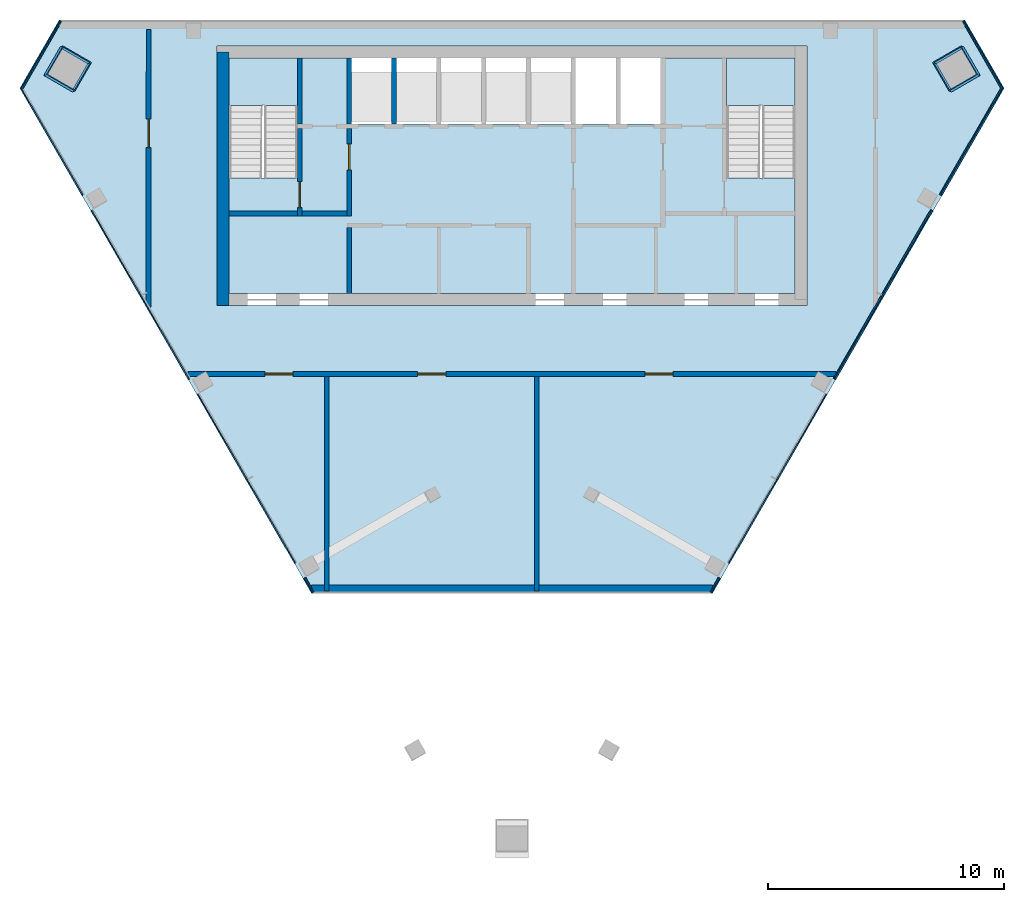
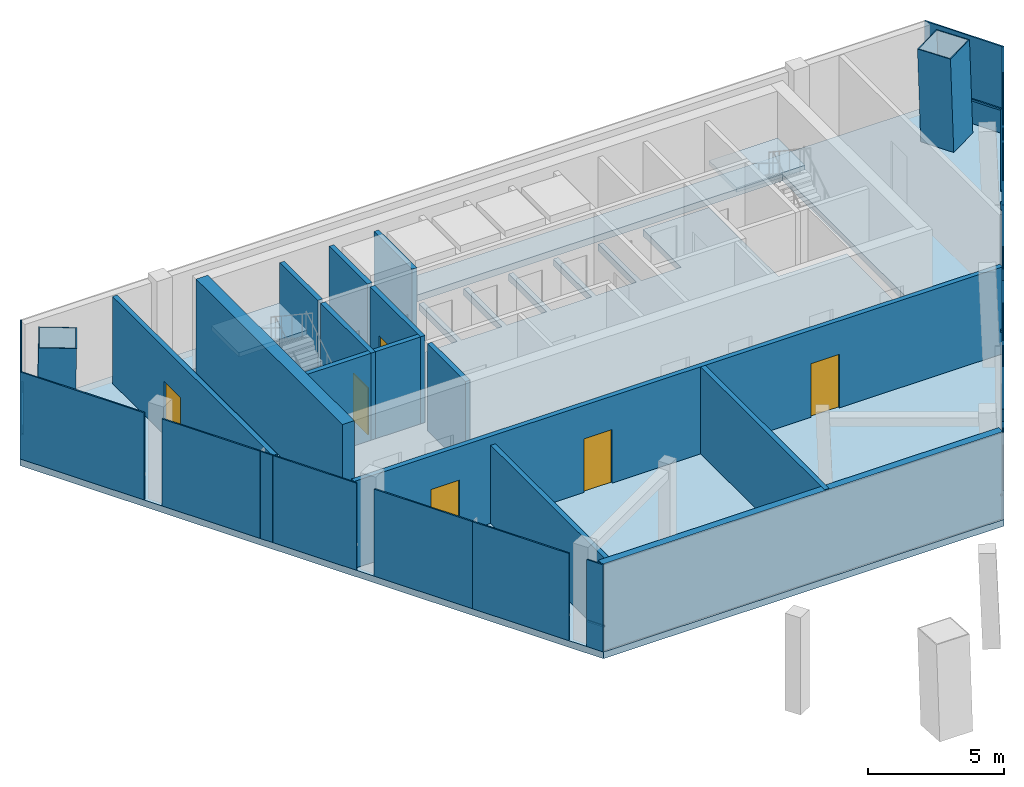
# One storey, part 4 of 8: 14 plates, 14 walls, 8 members, 6 doors, 4 slabs, 6 openings, 6 elements without a shape of their own.
"""IFC4 building model written with IfcOpenShell, lengths in metres."""

import ifcopenshell
import ifcopenshell.guid

model = None  # the IFC model being written
_history = None  # IfcOwnerHistory: only IFC2X3 demands one
_inside = {}  # id of a spatial element -> (the spatial element, [elements in it])
_under = {}  # id of a project, library or spatial element -> (it, [spatial elements below it])
_declared = {}  # id of a project -> (the project, [libraries it declares])
_typed = {}  # id of a type object -> (the type object, [elements of that type])
_made_of = {}  # id of a material, layer set ... -> (it, [elements and type objects made of it])


def new_model(schema):
    """Start an empty IFC model of exactly this schema.

    Asked for "IFC4X3", IfcOpenShell would pick the latest addendum, in which some entities
    have other attributes; the version numbers below select the first issue.
    IFC2X3 requires an IfcOwnerHistory on every rooted entity: one is made here for all.
    """
    global model, _history
    if schema == "IFC4X3":
        model = ifcopenshell.file(schema_version=(4, 3, 0, 0))
    else:
        model = ifcopenshell.file(schema=schema)
    _inside.clear()
    _under.clear()
    _declared.clear()
    _typed.clear()
    _made_of.clear()
    _history = None
    if model.schema == "IFC2X3":
        org = make("IfcOrganization", Name="unknown")
        user = make(
            "IfcPersonAndOrganization",
            ThePerson=make("IfcPerson", FamilyName="unknown"),
            TheOrganization=org,
        )
        app = make(
            "IfcApplication",
            ApplicationDeveloper=org,
            Version="unknown",
            ApplicationFullName="unknown",
            ApplicationIdentifier="unknown",
        )
        _history = make(
            "IfcOwnerHistory",
            OwningUser=user,
            OwningApplication=app,
            ChangeAction="ADDED",
            CreationDate=0,
        )
    return model


def make(cls, **values):
    """One entity of the class cls with the attributes given. An attribute that is None is left unset."""
    return model.create_entity(
        cls, **{name: value for name, value in values.items() if value is not None}
    )


def rooted(cls, **values):
    """An entity with a GlobalId (a new one), such as an element, a storey or a relation."""
    return make(cls, GlobalId=ifcopenshell.guid.new(), OwnerHistory=_history, **values)


def si_unit(unit_type, name, prefix=None):
    """IfcSIUnit, for example si_unit("LENGTHUNIT", "METRE", prefix="MILLI")."""
    return make("IfcSIUnit", UnitType=unit_type, Prefix=prefix, Name=name)


def assignment(units):
    """IfcUnitAssignment: the units of a project."""
    return None if units is None else make("IfcUnitAssignment", Units=units)


def point(xyz):
    """IfcCartesianPoint."""
    return None if xyz is None else make("IfcCartesianPoint", Coordinates=xyz)


def direction(xyz):
    """IfcDirection."""
    return None if xyz is None else make("IfcDirection", DirectionRatios=xyz)


def frame(location, z_axis=None, x_axis=None):
    """IfcAxis2Placement3D, a coordinate frame: its origin and axes. An axis left out is left unset."""
    return make(
        "IfcAxis2Placement3D",
        Location=point(location),
        Axis=direction(z_axis),
        RefDirection=direction(x_axis),
    )


def frame_2d(location, x_axis=None):
    """IfcAxis2Placement2D, a coordinate frame in the plane: its origin and x axis."""
    return make(
        "IfcAxis2Placement2D", Location=point(location), RefDirection=direction(x_axis)
    )


def origin():
    """The frame at (0, 0, 0) with its axes left unset."""
    return frame((0.0, 0.0, 0.0))


def origin_2d():
    """The frame at (0, 0) in the plane with its x axis left unset."""
    return frame_2d((0.0, 0.0))


def place(relative_to, where):
    """IfcLocalPlacement: puts the frame where relative to a parent placement (None: the world)."""
    return make(
        "IfcLocalPlacement", PlacementRelTo=relative_to, RelativePlacement=where
    )


def context(
    kind, dimensions, precision=None, world=None, true_north=None, identifier=None
):
    """IfcGeometricRepresentationContext, for example the 3D "Model" context."""
    return make(
        "IfcGeometricRepresentationContext",
        ContextIdentifier=identifier,
        ContextType=kind,
        CoordinateSpaceDimension=dimensions,
        Precision=precision,
        WorldCoordinateSystem=world,
        TrueNorth=true_north,
    )


def subcontext(parent, identifier, kind, view, scale=None):
    """IfcGeometricRepresentationSubContext, for example "Body" below "Model"."""
    return make(
        "IfcGeometricRepresentationSubContext",
        ContextIdentifier=identifier,
        ContextType=kind,
        ParentContext=parent,
        TargetScale=scale,
        TargetView=view,
    )


def project(units=None, contexts=None):
    """IfcProject with its units and contexts."""
    return rooted(
        "IfcProject",
        Name="project",
        RepresentationContexts=contexts,
        UnitsInContext=assignment(units),
    )


def spatial(cls, under=None, at=None, **own):
    """A site, building, storey or space (cls), placed at a placement, below another one or the project."""
    s = rooted(cls, ObjectPlacement=at, **own)
    if under is not None:
        _under.setdefault(under.id(), (under, []))[1].append(s)
    return s


def polyline(points):
    """IfcPolyline through the points."""
    return make("IfcPolyline", Points=[point(p) for p in points])


def profile(cls, at=None, kind="AREA", **sizes):
    """A parametric profile (cls). Its sizes go by their IFC names, for example OverallWidth=200.0."""
    return make(cls, ProfileType=kind, Position=at, **sizes)


def rectangle(**sizes):
    """IfcRectangleProfileDef."""
    return profile("IfcRectangleProfileDef", **sizes)


def hollow_rectangle(**sizes):
    """IfcRectangleHollowProfileDef."""
    return profile("IfcRectangleHollowProfileDef", **sizes)


def outline(outer, holes=None, kind="AREA"):
    """IfcArbitraryClosedProfileDef: a profile drawn as a closed curve; with holes, ...WithVoids."""
    if holes is None:
        return make("IfcArbitraryClosedProfileDef", ProfileType=kind, OuterCurve=outer)
    return make(
        "IfcArbitraryProfileDefWithVoids",
        ProfileType=kind,
        OuterCurve=outer,
        InnerCurves=holes,
    )


def extrude(swept, where, along, depth):
    """IfcExtrudedAreaSolid: the profile swept, set in the frame where, extruded along a direction by depth."""
    return make(
        "IfcExtrudedAreaSolid",
        SweptArea=swept,
        Position=where,
        ExtrudedDirection=direction(along),
        Depth=depth,
    )


def shape(context_of_items, identifier, shape_type, items):
    """IfcShapeRepresentation: the items that make up one representation, for example the "Body"."""
    return make(
        "IfcShapeRepresentation",
        ContextOfItems=context_of_items,
        RepresentationIdentifier=identifier,
        RepresentationType=shape_type,
        Items=items,
    )


def material(Name=None, Category=None):
    """IfcMaterial."""
    return make("IfcMaterial", Name=Name, Category=Category)


def layer(
    of_material, thickness, ventilated=None, Name=None, Category=None, Priority=None
):
    """IfcMaterialLayer: one layer of a wall or slab, of a material (None: an air gap)."""
    return make(
        "IfcMaterialLayer",
        Material=of_material,
        LayerThickness=thickness,
        IsVentilated=ventilated,
        Name=Name,
        Category=Category,
        Priority=Priority,
    )


def layer_set(layers, Name=None):
    """IfcMaterialLayerSet."""
    return make("IfcMaterialLayerSet", MaterialLayers=layers, LayerSetName=Name)


def material_profile(
    of_material, cross_section, Name=None, Category=None, Priority=None
):
    """IfcMaterialProfile: a cross section and its material."""
    return make(
        "IfcMaterialProfile",
        Name=Name,
        Material=of_material,
        Profile=cross_section,
        Priority=Priority,
        Category=Category,
    )


def profile_set(profiles, Name=None, composite=None):
    """IfcMaterialProfileSet."""
    return make(
        "IfcMaterialProfileSet",
        Name=Name,
        MaterialProfiles=profiles,
        CompositeProfile=composite,
    )


def made_of(thing, what):
    """Note that an element or type object is made of a material, layer set ...; save() writes the relation."""
    if what is not None:
        _made_of.setdefault(what.id(), (what, []))[1].append(thing)
    return thing


def type_object(cls, material=None, **own):
    """A type object (cls), such as IfcWallType, which elements share."""
    return made_of(rooted(cls, **own), material)


def element(
    cls,
    number,
    at=None,
    inside=None,
    cuts=None,
    type_object=None,
    material=None,
    context=None,
    identifier="Body",
    shape_type=None,
    held_by="IfcProductDefinitionShape",
    body=None,
    shapes=None,
    **own,
):
    """One element of the class cls, such as IfcWall. Its Tag is "e" and its number.

    at: its placement. inside: the storey or other place that contains it. cuts: it is an
    opening in that element (IfcRelVoidsElement). A single representation is given by context,
    identifier, shape_type and body (its items); several are given by shapes. held_by: the class
    of the entity that holds the representations. save() writes the other relations.
    """
    e = rooted(cls, Tag="e%d" % number, ObjectPlacement=at, **own)
    if body is not None:
        shapes = [shape(context, identifier, shape_type, body)]
    if shapes is not None:
        e.Representation = make(held_by, Representations=shapes)
    if inside is not None:
        _inside.setdefault(inside.id(), (inside, []))[1].append(e)
    if cuts is not None:
        rooted(
            "IfcRelVoidsElement", RelatingBuildingElement=cuts, RelatedOpeningElement=e
        )
    if type_object is not None:
        _typed.setdefault(type_object.id(), (type_object, []))[1].append(e)
    return made_of(e, material)


def fill(opening, filler):
    """IfcRelFillsElement: the door or window that sits in an opening."""
    return rooted(
        "IfcRelFillsElement",
        RelatingOpeningElement=opening,
        RelatedBuildingElement=filler,
    )


def aggregate(whole, parts):
    """IfcRelAggregates: a whole, such as a stair, and the parts it consists of."""
    return rooted("IfcRelAggregates", RelatingObject=whole, RelatedObjects=parts)


def save(model, path):
    """Write the relations noted so far, then the file.

    IfcRelAggregates (storeys below a building ...), IfcRelContainedInSpatialStructure (elements
    in a storey), IfcRelDefinesByType, IfcRelAssociatesMaterial and IfcRelDeclares: one each for
    every whole, place, type object, material and project.
    """
    for whole, parts in _under.values():
        aggregate(whole, parts)
    for where, things in _inside.values():
        rooted(
            "IfcRelContainedInSpatialStructure",
            RelatedElements=things,
            RelatingStructure=where,
        )
    for kind, things in _typed.values():
        rooted("IfcRelDefinesByType", RelatedObjects=things, RelatingType=kind)
    for what, things in _made_of.values():
        rooted("IfcRelAssociatesMaterial", RelatedObjects=things, RelatingMaterial=what)
    for by, libraries in _declared.values():
        rooted("IfcRelDeclares", RelatingContext=by, RelatedDefinitions=libraries)
    model.write(path)


model = new_model("IFC4")

# Units and contexts
model_context = context("Model", 3, precision=1e-05, world=origin(), true_north=direction((0.0, 1.0)))
body_context = subcontext(model_context, "Body", "Model", "MODEL_VIEW")
ifc_project = project(units=[si_unit("LENGTHUNIT", "METRE"), si_unit("AREAUNIT", "SQUARE_METRE"), si_unit("VOLUMEUNIT", "CUBIC_METRE"), si_unit("PLANEANGLEUNIT", "RADIAN"), si_unit("MASSUNIT", "GRAM", prefix="KILO")], contexts=[model_context])

# Site, building, storey
site_placement = place(None, origin())
site = spatial("IfcSite", under=ifc_project, at=site_placement, CompositionType="ELEMENT")
building_placement = place(site_placement, origin())
building = spatial("IfcBuilding", under=site, at=building_placement, Name="Altiplano Prism Tower", CompositionType="ELEMENT")
storey_placement = place(building_placement, frame((0.0, 0.0, 338.800048828125)))
storey = spatial("IfcBuildingStorey", under=building, at=storey_placement, Name="L88", CompositionType="ELEMENT", Elevation=338.800048828125)

# Curtain wall, member
ifc_material_1 = material(Name="Aluminium and glass", Category="aluminium")
ifc_layer_1 = layer(ifc_material_1, 0.320068359375)
ifc_layer_set_1 = layer_set([ifc_layer_1], Name="Aluminium and glass")
curtain_wall_type = type_object("IfcCurtainWallType", Name="CW6 louvred plant-floor curtain wall", PredefinedType="NOTDEFINED", material=ifc_layer_set_1)
curtain_wall_1_placement = place(storey_placement, origin())
curtain_wall_1 = element("IfcCurtainWall", 1, at=curtain_wall_1_placement, inside=storey, type_object=curtain_wall_type, Name="CW6 curtain wall north-west chamfer L88", PredefinedType="NOTDEFINED")
ifc_material_2 = material(Name="Aluminium", Category="aluminium")
ifc_material_profile_1 = material_profile(ifc_material_2, rectangle(XDim=0.06005859375, YDim=0.080078125, at=origin_2d()), Name="CW6 transom 80 x 60")
ifc_profile_set_1 = profile_set([ifc_material_profile_1], Name="Aluminium")
member_type_1 = type_object("IfcMemberType", Name="CW6 transom 80 x 60", PredefinedType="USERDEFINED", material=ifc_profile_set_1)
member_1_placement = place(storey_placement, frame((65.894287109375, 104.955078125, 1.099853515625), z_axis=(-0.499990830675, -0.866030697632, 0.0), x_axis=(0.866030697632, -0.499990830675, 0.0)))
member_1 = element("IfcMember", 2, at=member_1_placement, type_object=member_type_1, Name="CW6 transom", ObjectType="TRANSOM", PredefinedType="USERDEFINED", context=body_context, shape_type="SweptSolid", body=[
    extrude(rectangle(XDim=0.06005859375, YDim=0.080078125, at=origin_2d()), origin(), (0.0, 0.0, 1.0), 3.33349609375),
])

curtain_wall_2_placement = place(storey_placement, origin())
curtain_wall_2 = element("IfcCurtainWall", 3, at=curtain_wall_2_placement, inside=storey, type_object=curtain_wall_type, Name="CW6 curtain wall south-west face L88", PredefinedType="NOTDEFINED")
member_2_placement = place(storey_placement, frame((76.232177734375, 81.36572265625, 1.099853515625), z_axis=(0.500095966228, -0.865969990567, 0.0), x_axis=(0.865969990567, 0.500095966228, 0.0)))
member_2 = element("IfcMember", 4, at=member_2_placement, type_object=member_type_1, Name="CW6 transom", ObjectType="TRANSOM", PredefinedType="USERDEFINED", context=body_context, shape_type="SweptSolid", body=[
    extrude(rectangle(XDim=0.06005859375, YDim=0.080078125, at=origin_2d()), origin(), (0.0, 0.0, 1.0), 0.716552734375),
])

# Curtain wall, members
curtain_wall_3_placement = place(storey_placement, origin())
curtain_wall_3 = element("IfcCurtainWall", 5, at=curtain_wall_3_placement, inside=storey, type_object=curtain_wall_type, Name="CW6 curtain wall south-east face L88", PredefinedType="NOTDEFINED")
member_3_placement = place(storey_placement, frame((93.409423828125, 80.7451171875, 1.099853515625), z_axis=(0.500095966228, 0.865969990567, 0.0), x_axis=(-0.865969990567, 0.500095966228, 0.0)))
member_3 = element("IfcMember", 6, at=member_3_placement, type_object=member_type_1, Name="CW6 transom", ObjectType="TRANSOM", PredefinedType="USERDEFINED", context=body_context, shape_type="SweptSolid", body=[
    extrude(rectangle(XDim=0.06005859375, YDim=0.080078125, at=origin_2d()), origin(), (0.0, 0.0, 1.0), 0.716552734375),
])
member_4_placement = place(storey_placement, frame((98.639892578125, 89.803955078125, 1.099853515625), z_axis=(0.499980985926, 0.866036381287, 0.0), x_axis=(-0.866036381287, 0.499980985926, 0.0)))
member_4 = element("IfcMember", 7, at=member_4_placement, type_object=member_type_1, Name="CW6 transom", ObjectType="TRANSOM", PredefinedType="USERDEFINED", context=body_context, shape_type="SweptSolid", body=[
    extrude(rectangle(XDim=0.06005859375, YDim=0.080078125, at=origin_2d()), origin(), (0.0, 0.0, 1.0), 8.256103515625),
])
member_5_placement = place(storey_placement, frame((103.139892578125, 97.598388671875, 1.099853515625), z_axis=(0.500014132739, 0.86601724409, 0.0), x_axis=(-0.86601724409, 0.500014132739, 0.0)))
member_5 = element("IfcMember", 8, at=member_5_placement, type_object=member_type_1, Name="CW6 transom", ObjectType="TRANSOM", PredefinedType="USERDEFINED", context=body_context, shape_type="SweptSolid", body=[
    extrude(rectangle(XDim=0.06005859375, YDim=0.080078125, at=origin_2d()), origin(), (0.0, 0.0, 1.0), 5.264892578125),
])

# Curtain wall, member
curtain_wall_4_placement = place(storey_placement, origin())
curtain_wall_4 = element("IfcCurtainWall", 9, at=curtain_wall_4_placement, inside=storey, type_object=curtain_wall_type, Name="CW6 curtain wall north-east chamfer L88", PredefinedType="NOTDEFINED")
member_6_placement = place(storey_placement, frame((105.7724609375, 102.068115234375, 1.099853515625), z_axis=(-0.499990830675, 0.866030697632, 0.0), x_axis=(-0.866030697632, -0.499990830675, 0.0)))
member_6 = element("IfcMember", 10, at=member_6_placement, type_object=member_type_1, Name="CW6 transom", ObjectType="TRANSOM", PredefinedType="USERDEFINED", context=body_context, shape_type="SweptSolid", body=[
    extrude(rectangle(XDim=0.06005859375, YDim=0.080078125, at=origin_2d()), origin(), (0.0, 0.0, 1.0), 3.33349609375),
])

# Members
ifc_material_3 = material(Name="Steel S460", Category="steel")
ifc_material_profile_2 = material_profile(ifc_material_3, hollow_rectangle(XDim=1.39990234375, YDim=1.39990234375, WallThickness=0.0400390625, at=origin_2d()), Name="Mega column tube 1400")
ifc_profile_set_2 = profile_set([ifc_material_profile_2], Name="Steel S460")
member_type_2 = type_object("IfcMemberType", Name="Mega column tube 1400", PredefinedType="POST", material=ifc_profile_set_2)
for number, where, z_axis, x_axis, name in (
    (11, (66.10888671875, 102.906494140625, 0.0), (0.028412585289, 0.009238447977, 0.999553588396), (-0.865379574523, 0.500718845558, 0.019970721124), "Mega column tube M0 L88"),
    (12, (103.89111328125, 102.906494140625, 0.0), (-0.028412585289, 0.009238447977, 0.999553588396), (0.500310820387, -0.865560678856, 0.022221481085), "Mega column tube M2 L88"),
):
    element("IfcMember", number, at=place(storey_placement, frame(where, z_axis=z_axis, x_axis=x_axis)), inside=storey, type_object=member_type_2, Name=name, PredefinedType="POST", context=body_context, shape_type="SweptSolid", body=[
        extrude(hollow_rectangle(XDim=1.39990234375, YDim=1.39990234375, WallThickness=0.0400390625, at=origin_2d()), origin(), (0.0, 0.0, 1.0), 4.201904296875),
    ])

# Plate
ifc_material_4 = material(Name="Anodised aluminium", Category="aluminium")
ifc_layer_2 = layer(ifc_material_4, 0.06005859375)
ifc_layer_set_2 = layer_set([ifc_layer_2], Name="Anodised aluminium")
plate_type = type_object("IfcPlateType", Name="CW6 louvred aluminium panel 60", PredefinedType="CURTAIN_PANEL", material=ifc_layer_set_2)
plate_1_placement = place(storey_placement, frame((65.009033203125, 103.54150390625, 0.0), z_axis=(0.0, 0.0, 1.0), x_axis=(-0.499999981877, -0.866025414248, 0.0)))
plate_1 = element("IfcPlate", 13, at=plate_1_placement, type_object=plate_type, Name="CW6 panel", PredefinedType="CURTAIN_PANEL", context=body_context, shape_type="SweptSolid", body=[
    extrude(rectangle(XDim=3.323486328125, YDim=0.06005859375, at=origin_2d()), origin(), (0.0, 0.0, 1.0), 3.89990234375),
])

aggregate(curtain_wall_1, [member_1, plate_1])

plate_2_placement = place(storey_placement, frame((65.491943359375, 99.84814453125, 0.0), z_axis=(0.0, 0.0, 1.0), x_axis=(0.500000000831, -0.866025403304, 0.0)))
plate_2 = element("IfcPlate", 14, at=plate_2_placement, type_object=plate_type, Name="CW6 panel", PredefinedType="CURTAIN_PANEL", context=body_context, shape_type="SweptSolid", body=[
    extrude(rectangle(XDim=5.255126953125, YDim=0.06005859375, at=origin_2d()), origin(), (0.0, 0.0, 1.0), 3.89990234375),
])

plate_3_placement = place(storey_placement, frame((68.223876953125, 95.116455078125, 0.0), z_axis=(0.0, 0.0, 1.0), x_axis=(0.500000000831, -0.866025403304, 0.0)))
plate_3 = element("IfcPlate", 15, at=plate_3_placement, type_object=plate_type, Name="CW6 panel", PredefinedType="CURTAIN_PANEL", context=body_context, shape_type="SweptSolid", body=[
    extrude(rectangle(XDim=4.16455078125, YDim=0.06005859375, at=origin_2d()), origin(), (0.0, 0.0, 1.0), 3.89990234375),
])

plate_4_placement = place(storey_placement, frame((70.287841796875, 91.54150390625, 0.0), z_axis=(0.0, 0.0, 1.0), x_axis=(0.500000000831, -0.866025403304, 0.0)))
plate_4 = element("IfcPlate", 16, at=plate_4_placement, type_object=plate_type, Name="CW6 panel", PredefinedType="CURTAIN_PANEL", context=body_context, shape_type="SweptSolid", body=[
    extrude(rectangle(XDim=4.071533203125, YDim=0.06005859375, at=origin_2d()), origin(), (0.0, 0.0, 1.0), 3.89990234375),
])

plate_5_placement = place(storey_placement, frame((72.723876953125, 87.322265625, 0.0), z_axis=(0.0, 0.0, 1.0), x_axis=(0.500000000831, -0.866025403304, 0.0)))
plate_5 = element("IfcPlate", 17, at=plate_5_placement, type_object=plate_type, Name="CW6 panel", PredefinedType="CURTAIN_PANEL", context=body_context, shape_type="SweptSolid", body=[
    extrude(rectangle(XDim=4.16455078125, YDim=0.06005859375, at=origin_2d()), origin(), (0.0, 0.0, 1.0), 3.89990234375),
])

plate_6_placement = place(storey_placement, frame((74.787841796875, 83.747314453125, 0.0), z_axis=(0.0, 0.0, 1.0), x_axis=(0.500000000831, -0.866025403304, 0.0)))
plate_6 = element("IfcPlate", 18, at=plate_6_placement, type_object=plate_type, Name="CW6 panel", PredefinedType="CURTAIN_PANEL", context=body_context, shape_type="SweptSolid", body=[
    extrude(rectangle(XDim=4.071533203125, YDim=0.06005859375, at=origin_2d()), origin(), (0.0, 0.0, 1.0), 3.89990234375),
])

plate_7_placement = place(storey_placement, frame((76.359375, 81.025390625, 0.0), z_axis=(0.0, 0.0, 1.0), x_axis=(0.500000000831, -0.866025403304, 0.0)))
plate_7 = element("IfcPlate", 19, at=plate_7_placement, type_object=plate_type, Name="CW6 panel", PredefinedType="CURTAIN_PANEL", context=body_context, shape_type="SweptSolid", body=[
    extrude(rectangle(XDim=0.70654296875, YDim=0.06005859375, at=origin_2d()), origin(), (0.0, 0.0, 1.0), 3.89990234375),
])

aggregate(curtain_wall_2, [plate_2, plate_3, plate_4, plate_5, plate_6, member_2, plate_7])

plate_8_placement = place(storey_placement, frame((93.640625, 81.025390625, 0.0), z_axis=(0.0, 0.0, 1.0), x_axis=(0.500000000831, 0.866025403304, 0.0)))
plate_8 = element("IfcPlate", 20, at=plate_8_placement, type_object=plate_type, Name="CW6 panel", PredefinedType="CURTAIN_PANEL", context=body_context, shape_type="SweptSolid", body=[
    extrude(rectangle(XDim=0.70654296875, YDim=0.06005859375, at=origin_2d()), origin(), (0.0, 0.0, 1.0), 3.89990234375),
])

plate_9_placement = place(storey_placement, frame((95.212158203125, 83.747314453125, 0.0), z_axis=(0.0, 0.0, 1.0), x_axis=(0.500000000831, 0.866025403304, 0.0)))
plate_9 = element("IfcPlate", 21, at=plate_9_placement, type_object=plate_type, Name="CW6 panel", PredefinedType="CURTAIN_PANEL", context=body_context, shape_type="SweptSolid", body=[
    extrude(rectangle(XDim=4.071533203125, YDim=0.06005859375, at=origin_2d()), origin(), (0.0, 0.0, 1.0), 3.89990234375),
])

plate_10_placement = place(storey_placement, frame((97.276123046875, 87.322265625, 0.0), z_axis=(0.0, 0.0, 1.0), x_axis=(0.500000000831, 0.866025403304, 0.0)))
plate_10 = element("IfcPlate", 22, at=plate_10_placement, type_object=plate_type, Name="CW6 panel", PredefinedType="CURTAIN_PANEL", context=body_context, shape_type="SweptSolid", body=[
    extrude(rectangle(XDim=4.16455078125, YDim=0.06005859375, at=origin_2d()), origin(), (0.0, 0.0, 1.0), 3.89990234375),
])

plate_11_placement = place(storey_placement, frame((99.712158203125, 91.54150390625, 0.0), z_axis=(0.0, 0.0, 1.0), x_axis=(0.500000000831, 0.866025403304, 0.0)))
plate_11 = element("IfcPlate", 23, at=plate_11_placement, type_object=plate_type, Name="CW6 panel", PredefinedType="CURTAIN_PANEL", context=body_context, shape_type="SweptSolid", body=[
    extrude(rectangle(XDim=4.071533203125, YDim=0.06005859375, at=origin_2d()), origin(), (0.0, 0.0, 1.0), 3.89990234375),
])

plate_12_placement = place(storey_placement, frame((101.776123046875, 95.116455078125, 0.0), z_axis=(0.0, 0.0, 1.0), x_axis=(0.500000000831, 0.866025403304, 0.0)))
plate_12 = element("IfcPlate", 24, at=plate_12_placement, type_object=plate_type, Name="CW6 panel", PredefinedType="CURTAIN_PANEL", context=body_context, shape_type="SweptSolid", body=[
    extrude(rectangle(XDim=4.16455078125, YDim=0.06005859375, at=origin_2d()), origin(), (0.0, 0.0, 1.0), 3.89990234375),
])

plate_13_placement = place(storey_placement, frame((104.508056640625, 99.84814453125, 0.0), z_axis=(0.0, 0.0, 1.0), x_axis=(0.500000000831, 0.866025403304, 0.0)))
plate_13 = element("IfcPlate", 25, at=plate_13_placement, type_object=plate_type, Name="CW6 panel", PredefinedType="CURTAIN_PANEL", context=body_context, shape_type="SweptSolid", body=[
    extrude(rectangle(XDim=5.255126953125, YDim=0.06005859375, at=origin_2d()), origin(), (0.0, 0.0, 1.0), 3.89990234375),
])

aggregate(curtain_wall_3, [member_3, plate_8, plate_9, plate_10, member_4, plate_11, plate_12, member_5, plate_13])

plate_14_placement = place(storey_placement, frame((104.990966796875, 103.54150390625, 0.0), z_axis=(0.0, 0.0, 1.0), x_axis=(-0.499999981877, 0.866025414248, 0.0)))
plate_14 = element("IfcPlate", 26, at=plate_14_placement, type_object=plate_type, Name="CW6 panel", PredefinedType="CURTAIN_PANEL", context=body_context, shape_type="SweptSolid", body=[
    extrude(rectangle(XDim=3.323486328125, YDim=0.06005859375, at=origin_2d()), origin(), (0.0, 0.0, 1.0), 3.89990234375),
])

aggregate(curtain_wall_4, [member_6, plate_14])

# Slabs
ifc_material_5 = material(Name="Concrete C40/50", Category="concrete")
ifc_layer_3 = layer(ifc_material_5, 0.300048828125)
ifc_layer_set_3 = layer_set([ifc_layer_3], Name="Concrete C40/50")
slab_type_1 = type_object("IfcSlabType", Name="Core floor slab 300", PredefinedType="FLOOR", material=ifc_layer_set_3)
slab_1_placement = place(storey_placement, frame((0.0, 0.0, -0.300048828125)))
element("IfcSlab", 27, at=slab_1_placement, inside=storey, type_object=slab_type_1, Name="Core floor slab L88", PredefinedType="FLOOR", context=body_context, shape_type="SweptSolid", body=[
    extrude(outline(polyline([(97.0, 98.31005859375), (94.10009765625, 98.31005859375), (94.10009765625, 103.39990234375), (91.300048828125, 103.39990234375), (91.300048828125, 100.60009765625), (89.60009765625, 100.60009765625), (89.60009765625, 103.39990234375), (89.39990234375, 103.39990234375), (89.39990234375, 100.60009765625), (87.699951171875, 100.60009765625), (87.699951171875, 103.39990234375), (87.5, 103.39990234375), (87.5, 100.60009765625), (85.800048828125, 100.60009765625), (85.800048828125, 103.39990234375), (85.60009765625, 103.39990234375), (85.60009765625, 100.60009765625), (83.89990234375, 100.60009765625), (83.89990234375, 103.39990234375), (83.699951171875, 103.39990234375), (83.699951171875, 100.60009765625), (82.0, 100.60009765625), (82.0, 103.39990234375), (81.800048828125, 103.39990234375), (81.800048828125, 100.60009765625), (80.10009765625, 100.60009765625), (80.10009765625, 103.39990234375), (79.89990234375, 103.39990234375), (79.89990234375, 100.60009765625), (78.199951171875, 100.60009765625), (78.199951171875, 103.39990234375), (75.89990234375, 103.39990234375), (75.89990234375, 98.31005859375), (73.0, 98.31005859375), (73.0, 93.39990234375), (97.0, 93.39990234375), (97.0, 98.31005859375)])), origin(), (0.0, 0.0, 1.0), 0.300048828125),
])
ifc_layer_4 = layer(ifc_material_5, 0.300048828125)
ifc_layer_set_4 = layer_set([ifc_layer_4], Name="Concrete C40/50")
slab_type_2 = type_object("IfcSlabType", Name="Post-tensioned flat slab 300", PredefinedType="FLOOR", material=ifc_layer_set_4)
slab_2_placement = place(storey_placement, frame((0.0, 0.0, -0.300048828125)))
element("IfcSlab", 28, at=slab_2_placement, inside=storey, type_object=slab_type_2, Name="Floor slab L88", PredefinedType="FLOOR", context=body_context, shape_type="SweptSolid", body=[
    extrude(outline(polyline([(105.850341796875, 102.113037109375), (93.487548828125, 80.699951171875), (76.512451171875, 80.699951171875), (64.149658203125, 102.113037109375), (65.81640625, 105.0), (104.18359375, 105.0), (105.850341796875, 102.113037109375)]), holes=[polyline([(97.5, 92.89990234375), (97.5, 103.89990234375), (72.5, 103.89990234375), (72.5, 92.89990234375), (97.5, 92.89990234375)])]), origin(), (0.0, 0.0, 1.0), 0.300048828125),
])

# Stair, slab
stair_type = type_object("IfcStairType", Name="Exit stair 1400", PredefinedType="HALF_TURN_STAIR", material=ifc_material_5)
stair_1_placement = place(storey_placement, origin())
stair_1 = element("IfcStair", 29, at=stair_1_placement, inside=storey, type_object=stair_type, Name="L88 Exit Stair 1", PredefinedType="HALF_TURN_STAIR")
ifc_layer_5 = layer(ifc_material_5, 0.199951171875)
ifc_layer_set_5 = layer_set([ifc_layer_5], Name="Concrete C40/50")
slab_type_3 = type_object("IfcSlabType", Name="Stair landing 200", PredefinedType="LANDING", material=ifc_layer_set_5)
slab_3_placement = place(storey_placement, frame((0.0, 0.0, 1.89990234375)))
slab_3 = element("IfcSlab", 30, at=slab_3_placement, type_object=slab_type_3, Name="ST1 landing 1", PredefinedType="LANDING", context=body_context, shape_type="SweptSolid", body=[
    extrude(outline(polyline([(75.89990234375, 101.376953125), (75.89990234375, 103.39990234375), (73.0, 103.39990234375), (73.0, 101.376953125), (75.89990234375, 101.376953125)])), origin(), (0.0, 0.0, 1.0), 0.199951171875),
])
aggregate(stair_1, [slab_3])

stair_2_placement = place(storey_placement, origin())
stair_2 = element("IfcStair", 31, at=stair_2_placement, inside=storey, type_object=stair_type, Name="L88 Exit Stair 2", PredefinedType="HALF_TURN_STAIR")
slab_4_placement = place(storey_placement, frame((0.0, 0.0, 1.89990234375)))
slab_4 = element("IfcSlab", 32, at=slab_4_placement, type_object=slab_type_3, Name="ST2 landing 1", PredefinedType="LANDING", context=body_context, shape_type="SweptSolid", body=[
    extrude(outline(polyline([(97.0, 101.376953125), (97.0, 103.39990234375), (94.10009765625, 103.39990234375), (94.10009765625, 101.376953125), (97.0, 101.376953125)])), origin(), (0.0, 0.0, 1.0), 0.199951171875),
])
aggregate(stair_2, [slab_4])

# Wall
ifc_material_6 = material(Name="Concrete C60/75", Category="concrete")
ifc_layer_6 = layer(ifc_material_6, 0.5)
ifc_layer_set_6 = layer_set([ifc_layer_6], Name="Concrete C60/75")
wall_type_1 = type_object("IfcWallType", Name="Core wall 500", PredefinedType="SHEAR", material=ifc_layer_set_6)
wall_1_placement = place(storey_placement, frame((72.75, 103.64990234375, 0.0), z_axis=(0.0, 0.0, 1.0), x_axis=(0.0, -1.0, 0.0)))
element("IfcWall", 33, at=wall_1_placement, inside=storey, type_object=wall_type_1, Name="Core wall W L88", PredefinedType="SHEAR", context=body_context, shape_type="SweptSolid", body=[
    extrude(rectangle(XDim=10.75, YDim=0.5, at=frame_2d((5.375, 0.0))), origin(), (0.0, 0.0, 1.0), 4.199951171875),
])

# Wall, openings, doors
ifc_material_7 = material(Name="Plasterboard on steel stud", Category="steel")
ifc_layer_7 = layer(ifc_material_7, 0.199951171875)
ifc_layer_set_7 = layer_set([ifc_layer_7], Name="Plasterboard on steel stud")
wall_type_2 = type_object("IfcWallType", Name="Partition 200 plant", PredefinedType="PARTITIONING", material=ifc_layer_set_7)
wall_2_placement = place(storey_placement, frame((71.25927734375, 89.9990234375, 0.0), z_axis=(0.0, 0.0, 1.0), x_axis=(1.0, 0.0, 0.0)))
wall_2 = element("IfcWall", 34, at=wall_2_placement, inside=storey, type_object=wall_type_2, Name="Partition P04 L88 001", PredefinedType="PARTITIONING", context=body_context, shape_type="SweptSolid", body=[
    extrude(rectangle(XDim=27.4814453125, YDim=0.199951171875, at=frame_2d((13.74072265625, 0.0))), origin(), (0.0, 0.0, 1.0), 3.89990234375),
])
opening_1_placement = place(wall_2_placement, frame((19.368896484375, 0.0, 0.0)))
opening_1 = element("IfcOpeningElement", 35, at=opening_1_placement, cuts=wall_2, Name="Opening D2510", PredefinedType="OPENING", context=body_context, shape_type="SweptSolid", body=[
    extrude(rectangle(XDim=1.199951171875, YDim=2.39990234375, at=frame_2d((0.60009765625, 1.199951171875))), frame((0.0, 0.1103515625, 0.0), z_axis=(0.0, -1.0, 0.0), x_axis=(1.0, 0.0, 0.0)), (0.0, 0.0, 1.0), 0.220947265625),
])
opening_2_placement = place(wall_2_placement, frame((9.739013671875, 0.0, 0.0)))
opening_2 = element("IfcOpeningElement", 36, at=opening_2_placement, cuts=wall_2, Name="Opening D2511", PredefinedType="OPENING", context=body_context, shape_type="SweptSolid", body=[
    extrude(rectangle(XDim=1.199951171875, YDim=2.39990234375, at=frame_2d((0.60009765625, 1.199951171875))), frame((0.0, 0.1103515625, 0.0), z_axis=(0.0, -1.0, 0.0), x_axis=(1.0, 0.0, 0.0)), (0.0, 0.0, 1.0), 0.220947265625),
])
opening_3_placement = place(wall_2_placement, frame((3.26806640625, 0.0, 0.0)))
opening_3 = element("IfcOpeningElement", 37, at=opening_3_placement, cuts=wall_2, Name="Opening D2514", PredefinedType="OPENING", context=body_context, shape_type="SweptSolid", body=[
    extrude(rectangle(XDim=1.199951171875, YDim=2.39990234375, at=frame_2d((0.60009765625, 1.199951171875))), frame((0.0, 0.1103515625, 0.0), z_axis=(0.0, -1.0, 0.0), x_axis=(1.0, 0.0, 0.0)), (0.0, 0.0, 1.0), 0.220947265625),
])
ifc_material_8 = material(Name="Painted steel door leaf", Category="steel")
door_type_1 = type_object("IfcDoorType", Name="Plant room door 1200 x 2400", OperationType="NOTDEFINED", PredefinedType="NOTDEFINED", material=ifc_material_8)
door_1_placement = place(opening_1_placement, origin())
door_1 = element("IfcDoor", 38, at=door_1_placement, inside=storey, type_object=door_type_1, Name="Door D2510", OperationType="SINGLE_SWING_RIGHT", OverallHeight=2.39990234375, OverallWidth=1.199951171875, PredefinedType="NOTDEFINED", context=body_context, shape_type="SweptSolid", body=[
    extrude(rectangle(XDim=1.199951171875, YDim=2.39990234375, at=frame_2d((0.60009765625, 1.199951171875))), frame((0.0, 0.02490234375, 0.0), z_axis=(0.0, -1.0, 0.0), x_axis=(1.0, 0.0, 0.0)), (0.0, 0.0, 1.0), 0.050048828125),
])
fill(opening_1, door_1)
door_2_placement = place(opening_2_placement, origin())
door_2 = element("IfcDoor", 39, at=door_2_placement, inside=storey, type_object=door_type_1, Name="Door D2511", OperationType="SINGLE_SWING_LEFT", OverallHeight=2.39990234375, OverallWidth=1.199951171875, PredefinedType="NOTDEFINED", context=body_context, shape_type="SweptSolid", body=[
    extrude(rectangle(XDim=1.199951171875, YDim=2.39990234375, at=frame_2d((0.60009765625, 1.199951171875))), frame((0.0, 0.02490234375, 0.0), z_axis=(0.0, -1.0, 0.0), x_axis=(1.0, 0.0, 0.0)), (0.0, 0.0, 1.0), 0.050048828125),
])
fill(opening_2, door_2)
door_3_placement = place(opening_3_placement, origin())
door_3 = element("IfcDoor", 40, at=door_3_placement, inside=storey, type_object=door_type_1, Name="Door D2514", OperationType="SINGLE_SWING_LEFT", OverallHeight=2.39990234375, OverallWidth=1.199951171875, PredefinedType="NOTDEFINED", context=body_context, shape_type="SweptSolid", body=[
    extrude(rectangle(XDim=1.199951171875, YDim=2.39990234375, at=frame_2d((0.60009765625, 1.199951171875))), frame((0.0, 0.02490234375, 0.0), z_axis=(0.0, -1.0, 0.0), x_axis=(1.0, 0.0, 0.0)), (0.0, 0.0, 1.0), 0.050048828125),
])
fill(opening_3, door_3)

# Wall, opening, door
wall_3_placement = place(storey_placement, frame((69.60009765625, 104.60009765625, 0.0), z_axis=(0.0, 0.0, 1.0), x_axis=(-8.3001328e-05, -0.999999996555, 0.0)))
wall_3 = element("IfcWall", 41, at=wall_3_placement, inside=storey, type_object=wall_type_2, Name="Partition P04 L88 003", PredefinedType="PARTITIONING", context=body_context, shape_type="SweptSolid", body=[
    extrude(rectangle(XDim=11.765625, YDim=0.199951171875, at=frame_2d((5.8828125, 0.0))), origin(), (0.0, 0.0, 1.0), 3.89990234375),
])
opening_4_placement = place(wall_3_placement, frame((3.803955078125, 0.0, 0.0)))
opening_4 = element("IfcOpeningElement", 42, at=opening_4_placement, cuts=wall_3, Name="Opening D2513", PredefinedType="OPENING", context=body_context, shape_type="SweptSolid", body=[
    extrude(rectangle(XDim=1.199951171875, YDim=2.39990234375, at=frame_2d((0.60009765625, 1.199951171875))), frame((0.0, 0.1103515625, 0.0), z_axis=(0.0, -1.0, 0.0), x_axis=(1.0, 0.0, 0.0)), (0.0, 0.0, 1.0), 0.220947265625),
])
door_4_placement = place(opening_4_placement, origin())
door_4 = element("IfcDoor", 43, at=door_4_placement, inside=storey, type_object=door_type_1, Name="Door D2513", OperationType="SINGLE_SWING_LEFT", OverallHeight=2.39990234375, OverallWidth=1.199951171875, PredefinedType="NOTDEFINED", context=body_context, shape_type="SweptSolid", body=[
    extrude(rectangle(XDim=1.199951171875, YDim=2.39990234375, at=frame_2d((0.60009765625, 1.199951171875))), frame((0.0, 0.02490234375, 0.0), z_axis=(0.0, -1.0, 0.0), x_axis=(1.0, 0.0, 0.0)), (0.0, 0.0, 1.0), 0.050048828125),
])
fill(opening_4, door_4)

# Walls
wall_4_placement = place(storey_placement, frame((86.04833984375, 89.89892578125, 0.0), z_axis=(0.0, 0.0, 1.0), x_axis=(0.0, -1.0, 0.0)))
element("IfcWall", 44, at=wall_4_placement, inside=storey, type_object=wall_type_2, Name="Partition P04 L88 004", PredefinedType="PARTITIONING", context=body_context, shape_type="SweptSolid", body=[
    extrude(rectangle(XDim=9.098876953125, YDim=0.199951171875, at=frame_2d((4.54931640625, 0.0))), origin(), (0.0, 0.0, 1.0), 3.89990234375),
])
wall_5_placement = place(storey_placement, frame((77.14892578125, 89.89892578125, 0.0), z_axis=(0.0, 0.0, 1.0), x_axis=(0.0, -1.0, 0.0)))
element("IfcWall", 45, at=wall_5_placement, inside=storey, type_object=wall_type_2, Name="Partition P04 L88 005", PredefinedType="PARTITIONING", context=body_context, shape_type="SweptSolid", body=[
    extrude(rectangle(XDim=9.098876953125, YDim=0.199951171875, at=frame_2d((4.54931640625, 0.0))), origin(), (0.0, 0.0, 1.0), 3.5),
])
ifc_layer_8 = layer(ifc_material_6, 0.199951171875)
ifc_layer_set_8 = layer_set([ifc_layer_8], Name="Concrete C60/75")
wall_type_3 = type_object("IfcWallType", Name="Shaft wall 200", PredefinedType="SOLIDWALL", material=ifc_layer_set_8)
for number, where, z_axis, x_axis, name in (
    (46, (78.10009765625, 100.60009765625, 0.0), (0.0, 0.0, 1.0), (0.0, 1.0, 0.0), "Shaft wall L88"),
    (47, (80.0, 100.60009765625, 0.0), (0.0, 0.0, 1.0), (0.0, 1.0, 0.0), "Shaft wall L88"),
):
    element("IfcWall", number, at=place(storey_placement, frame(where, z_axis=z_axis, x_axis=x_axis)), inside=storey, type_object=wall_type_3, Name=name, PredefinedType="SOLIDWALL", context=body_context, shape_type="SweptSolid", body=[
        extrude(rectangle(XDim=2.7998046875, YDim=0.199951171875, at=frame_2d((1.39990234375, 0.0))), origin(), (0.0, 0.0, 1.0), 3.89990234375),
    ])
ifc_layer_9 = layer(ifc_material_6, 0.199951171875)
ifc_layer_set_9 = layer_set([ifc_layer_9], Name="Concrete C60/75")
wall_type_4 = type_object("IfcWallType", Name="Stair wall 200", PredefinedType="SOLIDWALL", material=ifc_layer_set_9)
wall_6_placement = place(storey_placement, frame((73.0, 96.800048828125, 0.0), z_axis=(0.0, 0.0, 1.0), x_axis=(1.0, 0.0, 0.0)))
element("IfcWall", 48, at=wall_6_placement, inside=storey, type_object=wall_type_4, Name="Stair wall L88", PredefinedType="SOLIDWALL", context=body_context, shape_type="SweptSolid", body=[
    extrude(rectangle(XDim=2.89990234375, YDim=0.199951171875, at=frame_2d((1.449951171875, 0.0))), origin(), (0.0, 0.0, 1.0), 3.89990234375),
])

# Wall, opening, door
wall_7_placement = place(storey_placement, frame((76.0, 96.699951171875, 0.0), z_axis=(0.0, 0.0, 1.0), x_axis=(0.0, 1.0, 0.0)))
wall_7 = element("IfcWall", 49, at=wall_7_placement, inside=storey, type_object=wall_type_4, Name="Stair wall L88", PredefinedType="SOLIDWALL", context=body_context, shape_type="SweptSolid", body=[
    extrude(rectangle(XDim=3.699951171875, YDim=0.199951171875, at=frame_2d((1.85009765625, 0.0))), origin(), (0.0, 0.0, 1.0), 3.89990234375),
])
opening_5_placement = place(wall_7_placement, frame((0.35009765625, 0.0, 0.0)))
opening_5 = element("IfcOpeningElement", 50, at=opening_5_placement, cuts=wall_7, Name="Opening D3831", PredefinedType="OPENING", context=body_context, shape_type="SweptSolid", body=[
    extrude(rectangle(XDim=1.10009765625, YDim=2.10009765625, at=frame_2d((0.550048828125, 1.050048828125))), frame((0.0, 0.1103515625, 0.0), z_axis=(0.0, -1.0, 0.0), x_axis=(1.0, 0.0, 0.0)), (0.0, 0.0, 1.0), 0.220947265625),
])
ifc_material_9 = material(Name="Fire-rated steel door", Category="steel")
door_type_2 = type_object("IfcDoorType", Name="Stair fire door 1100 x 2100", OperationType="NOTDEFINED", PredefinedType="NOTDEFINED", material=ifc_material_9)
door_5_placement = place(opening_5_placement, origin())
door_5 = element("IfcDoor", 51, at=door_5_placement, inside=storey, type_object=door_type_2, Name="Stair fire door D3831", OperationType="SINGLE_SWING_RIGHT", OverallHeight=2.10009765625, OverallWidth=1.10009765625, PredefinedType="NOTDEFINED", context=body_context, shape_type="SweptSolid", body=[
    extrude(rectangle(XDim=1.10009765625, YDim=2.10009765625, at=frame_2d((0.550048828125, 1.050048828125))), frame((0.0, 0.02490234375, 0.0), z_axis=(0.0, -1.0, 0.0), x_axis=(1.0, 0.0, 0.0)), (0.0, 0.0, 1.0), 0.050048828125),
])
fill(opening_5, door_5)

# Walls
wall_8_placement = place(storey_placement, frame((76.0, 100.60009765625, 0.0), z_axis=(0.0, 0.0, 1.0), x_axis=(0.0, 1.0, 0.0)))
element("IfcWall", 52, at=wall_8_placement, inside=storey, type_object=wall_type_4, Name="Stair wall L88", PredefinedType="SOLIDWALL", context=body_context, shape_type="SweptSolid", body=[
    extrude(rectangle(XDim=2.7998046875, YDim=0.199951171875, at=frame_2d((1.39990234375, 0.0))), origin(), (0.0, 0.0, 1.0), 3.89990234375),
])
ifc_material_10 = material(Name="Concrete C40", Category="concrete")
ifc_layer_10 = layer(ifc_material_10, 0.300048828125)
ifc_layer_set_10 = layer_set([ifc_layer_10], Name="Concrete C40")
wall_type_5 = type_object("IfcWallType", Name="Stone-clad external wall 300", PredefinedType="SOLIDWALL", material=ifc_layer_set_10)
wall_9_placement = place(storey_placement, frame((93.487548828125, 80.909912109375, 0.0), z_axis=(0.0, 0.0, 1.0), x_axis=(-1.0, 0.0, 0.0)))
element("IfcWall", 53, at=wall_9_placement, inside=storey, type_object=wall_type_5, Name="External wall portal cut L88", PredefinedType="SOLIDWALL", context=body_context, shape_type="SweptSolid", body=[
    extrude(rectangle(XDim=16.97509765625, YDim=0.300048828125, at=frame_2d((8.487548828125, 0.0))), origin(), (0.0, 0.0, 1.0), 3.89990234375),
])
ifc_layer_11 = layer(ifc_material_6, 0.199951171875)
ifc_layer_set_11 = layer_set([ifc_layer_11], Name="Concrete C60/75")
wall_type_6 = type_object("IfcWallType", Name="Vestibule wall 200", PredefinedType="PARTITIONING", material=ifc_layer_set_11)
wall_10_placement = place(storey_placement, frame((78.10009765625, 93.39990234375, 0.0), z_axis=(0.0, 0.0, 1.0), x_axis=(0.0, 1.0, 0.0)))
element("IfcWall", 54, at=wall_10_placement, inside=storey, type_object=wall_type_6, Name="Vestibule wall L88", PredefinedType="PARTITIONING", context=body_context, shape_type="SweptSolid", body=[
    extrude(rectangle(XDim=2.800048828125, YDim=0.199951171875, at=frame_2d((1.39990234375, 0.0))), origin(), (0.0, 0.0, 1.0), 3.89990234375),
])
wall_11_placement = place(storey_placement, frame((76.10009765625, 96.800048828125, 0.0), z_axis=(0.0, 0.0, 1.0), x_axis=(1.0, 0.0, 0.0)))
element("IfcWall", 55, at=wall_11_placement, inside=storey, type_object=wall_type_6, Name="Vestibule wall L88", PredefinedType="PARTITIONING", context=body_context, shape_type="SweptSolid", body=[
    extrude(rectangle(XDim=1.89990234375, YDim=0.199951171875, at=frame_2d((0.949951171875, 0.0))), origin(), (0.0, 0.0, 1.0), 3.89990234375),
])

# Wall, opening, door
wall_12_placement = place(storey_placement, frame((78.10009765625, 96.699951171875, 0.0), z_axis=(0.0, 0.0, 1.0), x_axis=(0.0, 1.0, 0.0)))
wall_12 = element("IfcWall", 56, at=wall_12_placement, inside=storey, type_object=wall_type_6, Name="Vestibule wall L88", PredefinedType="PARTITIONING", context=body_context, shape_type="SweptSolid", body=[
    extrude(rectangle(XDim=3.699951171875, YDim=0.199951171875, at=frame_2d((1.85009765625, 0.0))), origin(), (0.0, 0.0, 1.0), 3.89990234375),
])
opening_6_placement = place(wall_12_placement, frame((1.949951171875, 0.0, 0.0)))
opening_6 = element("IfcOpeningElement", 57, at=opening_6_placement, cuts=wall_12, Name="Opening D3833", PredefinedType="OPENING", context=body_context, shape_type="SweptSolid", body=[
    extrude(rectangle(XDim=1.10009765625, YDim=2.10009765625, at=frame_2d((0.550048828125, 1.050048828125))), frame((0.0, 0.1103515625, 0.0), z_axis=(0.0, -1.0, 0.0), x_axis=(1.0, 0.0, 0.0)), (0.0, 0.0, 1.0), 0.220947265625),
])
door_type_3 = type_object("IfcDoorType", Name="Vestibule fire door 1100 x 2100", OperationType="NOTDEFINED", PredefinedType="NOTDEFINED", material=ifc_material_9)
door_6_placement = place(opening_6_placement, origin())
door_6 = element("IfcDoor", 58, at=door_6_placement, inside=storey, type_object=door_type_3, Name="Vestibule fire door D3833", OperationType="SINGLE_SWING_LEFT", OverallHeight=2.10009765625, OverallWidth=1.10009765625, PredefinedType="NOTDEFINED", context=body_context, shape_type="SweptSolid", body=[
    extrude(rectangle(XDim=1.10009765625, YDim=2.10009765625, at=frame_2d((0.550048828125, 1.050048828125))), frame((0.0, 0.02490234375, 0.0), z_axis=(0.0, -1.0, 0.0), x_axis=(1.0, 0.0, 0.0)), (0.0, 0.0, 1.0), 0.050048828125),
])
fill(opening_6, door_6)

save(model, "model.ifc")
